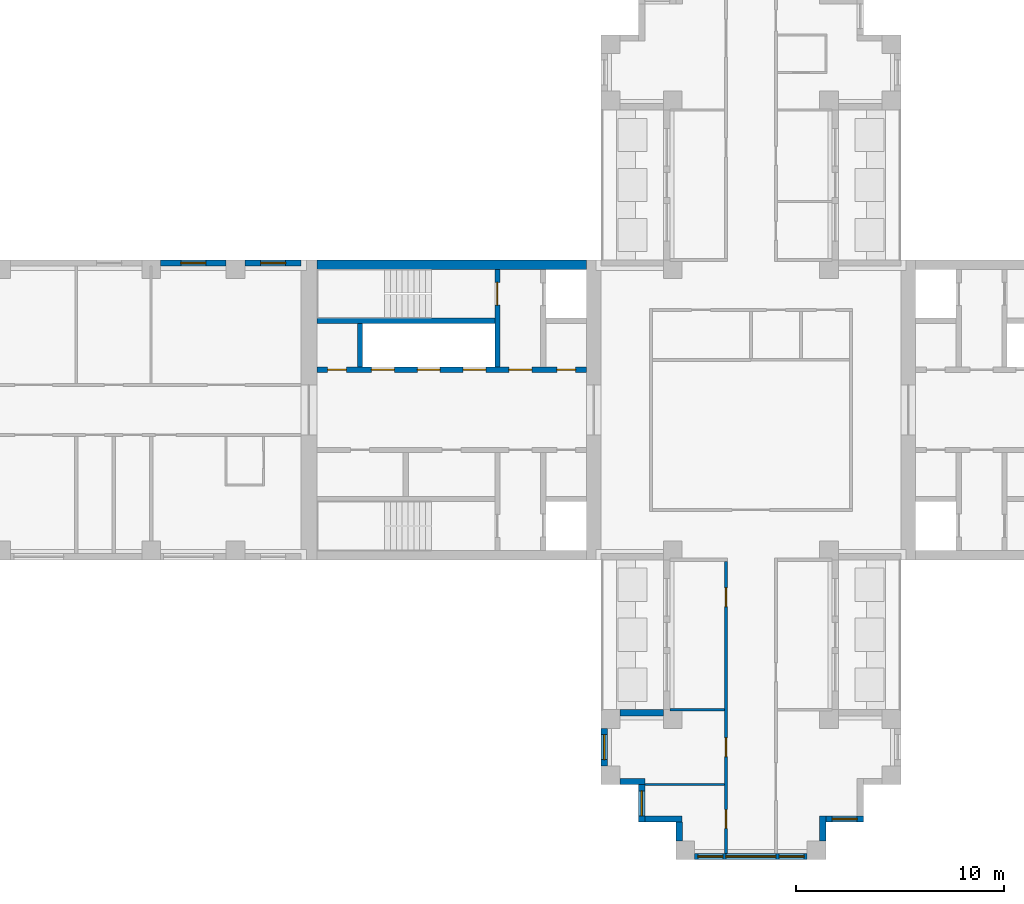
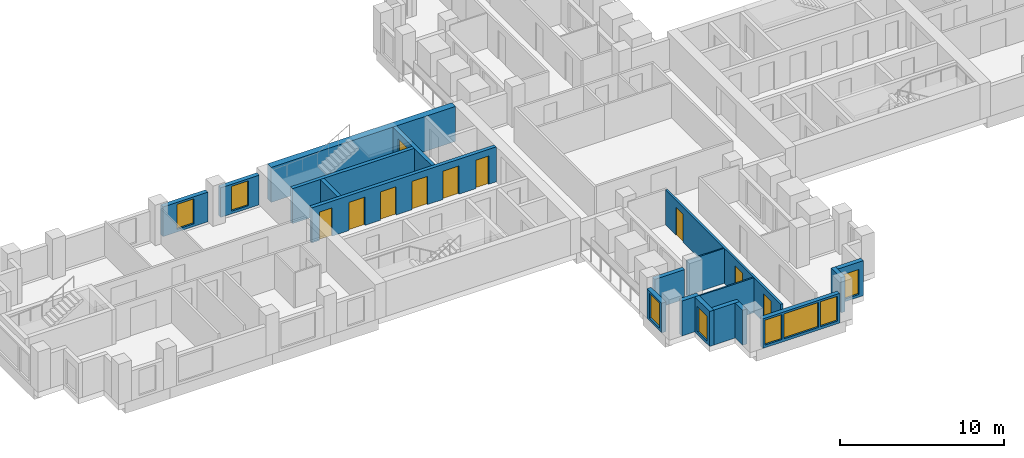
# One storey, part 4 of 11: 19 walls, 10 doors, 8 windows, 18 openings.
"""IFC4 building model written with IfcOpenShell, lengths in metres."""

from ifc_helpers import new_model, si_unit, direction, frame, frame_2d, origin, place, context, subcontext, project, spatial, rectangle, extrude, material, layer, layer_set, type_object, element, fill, save


model = new_model("IFC4")

# Units and contexts
model_context = context("Model", 3, precision=1e-05, world=origin(), true_north=direction((0.0, 1.0)))
body_context = subcontext(model_context, "Body", "Model", "MODEL_VIEW")
ifc_project = project(units=[si_unit("LENGTHUNIT", "METRE"), si_unit("AREAUNIT", "SQUARE_METRE"), si_unit("VOLUMEUNIT", "CUBIC_METRE"), si_unit("PLANEANGLEUNIT", "RADIAN"), si_unit("MASSUNIT", "GRAM", prefix="KILO")], contexts=[model_context])

# Site, building, storey
site_placement = place(None, origin())
site = spatial("IfcSite", under=ifc_project, at=site_placement, CompositionType="ELEMENT")
building_placement = place(site_placement, origin())
building = spatial("IfcBuilding", under=site, at=building_placement, Name="Fustian Cross Tower", CompositionType="ELEMENT")
storey_placement = place(building_placement, frame((0.0, 0.0, 138.300048828125)))
storey = spatial("IfcBuildingStorey", under=building, at=storey_placement, Name="L43", CompositionType="ELEMENT", Elevation=138.300048828125)

# Wall, openings, doors
ifc_material_1 = material(Name="Plasterboard on steel stud", Category="steel")
ifc_layer_1 = layer(ifc_material_1, 0.14990234375)
ifc_layer_set_1 = layer_set([ifc_layer_1], Name="Plasterboard on steel stud")
wall_type_1 = type_object("IfcWallType", Name="COMPARTMENT WALL 150 EI 60", PredefinedType="PARTITIONING", material=ifc_layer_set_1)
wall_1_placement = place(storey_placement, frame((-1.199951171875, -21.300048828125, 0.0), z_axis=(0.0, 0.0, 1.0), x_axis=(0.0, 1.0, 0.0)))
wall_1 = element("IfcWall", 1, at=wall_1_placement, inside=storey, type_object=wall_type_1, Name="Partition 20", PredefinedType="PARTITIONING", context=body_context, shape_type="SweptSolid", body=[
    extrude(rectangle(XDim=14.025146484375, YDim=0.14990234375, at=frame_2d((7.0126953125, 0.0))), origin(), (0.0, 0.0, 1.0), 2.599853515625),
])
opening_1_placement = place(wall_1_placement, frame((11.85009765625, 0.0, 0.0)))
opening_1 = element("IfcOpeningElement", 2, at=opening_1_placement, cuts=wall_1, Name="Opening D20030", PredefinedType="OPENING", context=body_context, shape_type="SweptSolid", body=[
    extrude(rectangle(XDim=0.89990234375, YDim=2.10009765625, at=frame_2d((0.449951171875, 1.050048828125))), frame((0.0, 0.0849609375, 0.0), z_axis=(0.0, -1.0, 0.0), x_axis=(1.0, 0.0, 0.0)), (0.0, 0.0, 1.0), 0.169921875),
])
opening_2_placement = place(wall_1_placement, frame((4.64990234375, 0.0, 0.0)))
opening_2 = element("IfcOpeningElement", 3, at=opening_2_placement, cuts=wall_1, Name="Opening D20031", PredefinedType="OPENING", context=body_context, shape_type="SweptSolid", body=[
    extrude(rectangle(XDim=0.89990234375, YDim=2.10009765625, at=frame_2d((0.449951171875, 1.050048828125))), frame((0.0, 0.0849609375, 0.0), z_axis=(0.0, -1.0, 0.0), x_axis=(1.0, 0.0, 0.0)), (0.0, 0.0, 1.0), 0.169921875),
])
opening_3_placement = place(wall_1_placement, frame((1.199951171875, 0.0, 0.0)))
opening_3 = element("IfcOpeningElement", 4, at=opening_3_placement, cuts=wall_1, Name="Opening D20032", PredefinedType="OPENING", context=body_context, shape_type="SweptSolid", body=[
    extrude(rectangle(XDim=0.89990234375, YDim=2.10009765625, at=frame_2d((0.449951171875, 1.050048828125))), frame((0.0, 0.0849609375, 0.0), z_axis=(0.0, -1.0, 0.0), x_axis=(1.0, 0.0, 0.0)), (0.0, 0.0, 1.0), 0.169921875),
])
ifc_material_2 = material(Name="Timber fire door set", Category="wood")
door_type_1 = type_object("IfcDoorType", Name="FIRE SWING DOOR 900 FD30S", OperationType="SINGLE_SWING_LEFT", PredefinedType="DOOR", material=ifc_material_2)
door_1_placement = place(opening_1_placement, origin())
door_1 = element("IfcDoor", 5, at=door_1_placement, inside=storey, type_object=door_type_1, Name="Door D20030", OperationType="SINGLE_SWING_RIGHT", OverallHeight=2.10009765625, OverallWidth=0.89990234375, PredefinedType="DOOR", context=body_context, shape_type="SweptSolid", body=[
    extrude(rectangle(XDim=0.89990234375, YDim=2.10009765625, at=frame_2d((0.449951171875, 1.050048828125))), frame((0.0, 0.02490234375, 0.0), z_axis=(0.0, -1.0, 0.0), x_axis=(1.0, 0.0, 0.0)), (0.0, 0.0, 1.0), 0.050048828125),
])
fill(opening_1, door_1)
door_2_placement = place(opening_2_placement, origin())
door_2 = element("IfcDoor", 6, at=door_2_placement, inside=storey, type_object=door_type_1, Name="Door D20031", OperationType="SINGLE_SWING_LEFT", OverallHeight=2.10009765625, OverallWidth=0.89990234375, PredefinedType="DOOR", context=body_context, shape_type="SweptSolid", body=[
    extrude(rectangle(XDim=0.89990234375, YDim=2.10009765625, at=frame_2d((0.449951171875, 1.050048828125))), frame((0.0, 0.02490234375, 0.0), z_axis=(0.0, -1.0, 0.0), x_axis=(1.0, 0.0, 0.0)), (0.0, 0.0, 1.0), 0.050048828125),
])
fill(opening_2, door_2)
door_3_placement = place(opening_3_placement, origin())
door_3 = element("IfcDoor", 7, at=door_3_placement, inside=storey, type_object=door_type_1, Name="Door D20032", OperationType="SINGLE_SWING_LEFT", OverallHeight=2.10009765625, OverallWidth=0.89990234375, PredefinedType="DOOR", context=body_context, shape_type="SweptSolid", body=[
    extrude(rectangle(XDim=0.89990234375, YDim=2.10009765625, at=frame_2d((0.449951171875, 1.050048828125))), frame((0.0, 0.02490234375, 0.0), z_axis=(0.0, -1.0, 0.0), x_axis=(1.0, 0.0, 0.0)), (0.0, 0.0, 1.0), 0.050048828125),
])
fill(opening_3, door_3)

# Wall
ifc_material_3 = material(Name="Concrete C60/75", Category="concrete")
ifc_layer_2 = layer(ifc_material_3, 0.449951171875)
ifc_layer_set_2 = layer_set([ifc_layer_2], Name="Concrete C60/75")
wall_type_2 = type_object("IfcWallType", Name="CORE FACADE WALL 450 C60/75", PredefinedType="SHEAR", material=ifc_layer_set_2)
wall_2_placement = place(storey_placement, frame((-7.89990234375, 6.97509765625, 0.0), z_axis=(0.0, 0.0, 1.0), x_axis=(-1.0, 0.0, 0.0)))
element("IfcWall", 8, at=wall_2_placement, inside=storey, type_object=wall_type_2, Name="Core facade wall", PredefinedType="SHEAR", context=body_context, shape_type="SweptSolid", body=[
    extrude(rectangle(XDim=12.9501953125, YDim=0.449951171875, at=frame_2d((6.47509765625, 0.0))), origin(), (0.0, 0.0, 1.0), 2.599853515625),
])

# Wall, openings, doors
ifc_material_4 = material(Name="Concrete C50/60", Category="concrete")
ifc_layer_3 = layer(ifc_material_4, 0.25)
ifc_layer_set_3 = layer_set([ifc_layer_3], Name="Concrete C50/60")
wall_type_3 = type_object("IfcWallType", Name="CORE LOBBY WALL 250 C50/60", PredefinedType="SHEAR", material=ifc_layer_set_3)
wall_3_placement = place(storey_placement, frame((-7.89990234375, 1.925048828125, 0.0), z_axis=(0.0, 0.0, 1.0), x_axis=(-1.0, 0.0, 0.0)))
wall_3 = element("IfcWall", 9, at=wall_3_placement, inside=storey, type_object=wall_type_3, Name="Core lobby wall", PredefinedType="SHEAR", context=body_context, shape_type="SweptSolid", body=[
    extrude(rectangle(XDim=12.9501953125, YDim=0.25, at=frame_2d((6.47509765625, 0.0))), origin(), (0.0, 0.0, 1.0), 2.599853515625),
])
opening_4_placement = place(wall_3_placement, frame((4.824951171875, 0.0, 0.0)))
opening_4 = element("IfcOpeningElement", 10, at=opening_4_placement, cuts=wall_3, Name="Opening LD", PredefinedType="OPENING", context=body_context, shape_type="SweptSolid", body=[
    extrude(rectangle(XDim=1.10009765625, YDim=2.10009765625, at=frame_2d((0.550048828125, 1.050048828125))), frame((0.0, 0.135009765625, 0.0), z_axis=(0.0, -1.0, 0.0), x_axis=(1.0, 0.0, 0.0)), (0.0, 0.0, 1.0), 0.27001953125),
])
opening_5_placement = place(wall_3_placement, frame((7.02490234375, 0.0, 0.0)))
opening_5 = element("IfcOpeningElement", 11, at=opening_5_placement, cuts=wall_3, Name="Opening LD", PredefinedType="OPENING", context=body_context, shape_type="SweptSolid", body=[
    extrude(rectangle(XDim=1.10009765625, YDim=2.10009765625, at=frame_2d((0.550048828125, 1.050048828125))), frame((0.0, 0.135009765625, 0.0), z_axis=(0.0, -1.0, 0.0), x_axis=(1.0, 0.0, 0.0)), (0.0, 0.0, 1.0), 0.27001953125),
])
opening_6_placement = place(wall_3_placement, frame((9.22509765625, 0.0, 0.0)))
opening_6 = element("IfcOpeningElement", 12, at=opening_6_placement, cuts=wall_3, Name="Opening LD", PredefinedType="OPENING", context=body_context, shape_type="SweptSolid", body=[
    extrude(rectangle(XDim=1.10009765625, YDim=2.10009765625, at=frame_2d((0.550048828125, 1.050048828125))), frame((0.0, 0.135009765625, 0.0), z_axis=(0.0, -1.0, 0.0), x_axis=(1.0, 0.0, 0.0)), (0.0, 0.0, 1.0), 0.27001953125),
])
opening_7_placement = place(wall_3_placement, frame((0.52490234375, 0.0, 0.0)))
opening_7 = element("IfcOpeningElement", 13, at=opening_7_placement, cuts=wall_3, Name="Opening CD-18-24", PredefinedType="OPENING", context=body_context, shape_type="SweptSolid", body=[
    extrude(rectangle(XDim=0.89990234375, YDim=2.10009765625, at=frame_2d((0.449951171875, 1.050048828125))), frame((0.0, 0.135009765625, 0.0), z_axis=(0.0, -1.0, 0.0), x_axis=(1.0, 0.0, 0.0)), (0.0, 0.0, 1.0), 0.27001953125),
])
opening_8_placement = place(wall_3_placement, frame((2.625, 0.0, 0.0)))
opening_8 = element("IfcOpeningElement", 14, at=opening_8_placement, cuts=wall_3, Name="Opening CD-18-26", PredefinedType="OPENING", context=body_context, shape_type="SweptSolid", body=[
    extrude(rectangle(XDim=1.10009765625, YDim=2.10009765625, at=frame_2d((0.550048828125, 1.050048828125))), frame((0.0, 0.135009765625, 0.0), z_axis=(0.0, -1.0, 0.0), x_axis=(1.0, 0.0, 0.0)), (0.0, 0.0, 1.0), 0.27001953125),
])
opening_9_placement = place(wall_3_placement, frame((11.52490234375, 0.0, 0.0)))
opening_9 = element("IfcOpeningElement", 15, at=opening_9_placement, cuts=wall_3, Name="Opening CD-18-30", PredefinedType="OPENING", context=body_context, shape_type="SweptSolid", body=[
    extrude(rectangle(XDim=0.89990234375, YDim=2.10009765625, at=frame_2d((0.449951171875, 1.050048828125))), frame((0.0, 0.135009765625, 0.0), z_axis=(0.0, -1.0, 0.0), x_axis=(1.0, 0.0, 0.0)), (0.0, 0.0, 1.0), 0.27001953125),
])
ifc_material_5 = material(Name="Steel", Category="steel")
door_type_2 = type_object("IfcDoorType", Name="FIRE DOOR FD30S 900X2100", OperationType="SINGLE_SWING_LEFT", PredefinedType="DOOR", material=ifc_material_5)
door_4_placement = place(opening_9_placement, frame((0.89990234375, 0.0, 0.0), z_axis=(0.0, 0.0, 1.0), x_axis=(-1.0, 0.0, 0.0)))
door_4 = element("IfcDoor", 16, at=door_4_placement, inside=storey, type_object=door_type_2, Name="Core door CD-18-30", OperationType="SINGLE_SWING_RIGHT", OverallHeight=2.10009765625, OverallWidth=0.89990234375, PredefinedType="DOOR", context=body_context, shape_type="SweptSolid", body=[
    extrude(rectangle(XDim=0.89990234375, YDim=2.10009765625, at=frame_2d((0.449951171875, 1.050048828125))), frame((0.0, 0.02490234375, 0.0), z_axis=(0.0, -1.0, 0.0), x_axis=(1.0, 0.0, 0.0)), (0.0, 0.0, 1.0), 0.050048828125),
])
fill(opening_9, door_4)
ifc_material_6 = material(Name="Steel", Category="steel")
door_type_3 = type_object("IfcDoorType", Name="FIRE DOOR FD60S 1100X2100", OperationType="SINGLE_SWING_LEFT", PredefinedType="DOOR", material=ifc_material_6)
door_5_placement = place(opening_8_placement, frame((1.10009765625, 0.0, 0.0), z_axis=(0.0, 0.0, 1.0), x_axis=(-1.0, 0.0, 0.0)))
door_5 = element("IfcDoor", 17, at=door_5_placement, inside=storey, type_object=door_type_3, Name="Core door CD-18-26", OperationType="SINGLE_SWING_RIGHT", OverallHeight=2.10009765625, OverallWidth=1.10009765625, PredefinedType="DOOR", context=body_context, shape_type="SweptSolid", body=[
    extrude(rectangle(XDim=1.10009765625, YDim=2.10009765625, at=frame_2d((0.550048828125, 1.050048828125))), frame((0.0, 0.02490234375, 0.0), z_axis=(0.0, -1.0, 0.0), x_axis=(1.0, 0.0, 0.0)), (0.0, 0.0, 1.0), 0.050048828125),
])
fill(opening_8, door_5)
ifc_material_7 = material(Name="Steel", Category="steel")
door_type_4 = type_object("IfcDoorType", Name="FIRE DOOR FD60S 900X2100", OperationType="SINGLE_SWING_LEFT", PredefinedType="DOOR", material=ifc_material_7)
door_6_placement = place(opening_7_placement, frame((0.89990234375, 0.0, 0.0), z_axis=(0.0, 0.0, 1.0), x_axis=(-1.0, 0.0, 0.0)))
door_6 = element("IfcDoor", 18, at=door_6_placement, inside=storey, type_object=door_type_4, Name="Core door CD-18-24", OperationType="SINGLE_SWING_RIGHT", OverallHeight=2.10009765625, OverallWidth=0.89990234375, PredefinedType="DOOR", context=body_context, shape_type="SweptSolid", body=[
    extrude(rectangle(XDim=0.89990234375, YDim=2.10009765625, at=frame_2d((0.449951171875, 1.050048828125))), frame((0.0, 0.02490234375, 0.0), z_axis=(0.0, -1.0, 0.0), x_axis=(1.0, 0.0, 0.0)), (0.0, 0.0, 1.0), 0.050048828125),
])
fill(opening_7, door_6)
ifc_material_8 = material(Name="Stainless steel", Category="steel")
door_type_5 = type_object("IfcDoorType", Name="LIFT LANDING DOOR 1100X2100", OperationType="SLIDING_TO_LEFT", PredefinedType="DOOR", material=ifc_material_8)
door_7_placement = place(opening_4_placement, origin())
door_7 = element("IfcDoor", 19, at=door_7_placement, inside=storey, type_object=door_type_5, Name="Landing door HR1W", OperationType="SLIDING_TO_LEFT", OverallHeight=2.10009765625, OverallWidth=1.10009765625, PredefinedType="DOOR", context=body_context, shape_type="SweptSolid", body=[
    extrude(rectangle(XDim=1.10009765625, YDim=2.10009765625, at=frame_2d((0.550048828125, 1.050048828125))), frame((0.0, 0.02490234375, 0.0), z_axis=(0.0, -1.0, 0.0), x_axis=(1.0, 0.0, 0.0)), (0.0, 0.0, 1.0), 0.050048828125),
])
fill(opening_4, door_7)
door_8_placement = place(opening_5_placement, origin())
door_8 = element("IfcDoor", 20, at=door_8_placement, inside=storey, type_object=door_type_5, Name="Landing door HR2W", OperationType="SLIDING_TO_LEFT", OverallHeight=2.10009765625, OverallWidth=1.10009765625, PredefinedType="DOOR", context=body_context, shape_type="SweptSolid", body=[
    extrude(rectangle(XDim=1.10009765625, YDim=2.10009765625, at=frame_2d((0.550048828125, 1.050048828125))), frame((0.0, 0.02490234375, 0.0), z_axis=(0.0, -1.0, 0.0), x_axis=(1.0, 0.0, 0.0)), (0.0, 0.0, 1.0), 0.050048828125),
])
fill(opening_5, door_8)
door_9_placement = place(opening_6_placement, origin())
door_9 = element("IfcDoor", 21, at=door_9_placement, inside=storey, type_object=door_type_5, Name="Landing door HR3W", OperationType="SLIDING_TO_LEFT", OverallHeight=2.10009765625, OverallWidth=1.10009765625, PredefinedType="DOOR", context=body_context, shape_type="SweptSolid", body=[
    extrude(rectangle(XDim=1.10009765625, YDim=2.10009765625, at=frame_2d((0.550048828125, 1.050048828125))), frame((0.0, 0.02490234375, 0.0), z_axis=(0.0, -1.0, 0.0), x_axis=(1.0, 0.0, 0.0)), (0.0, 0.0, 1.0), 0.050048828125),
])
fill(opening_6, door_9)

# Wall
ifc_material_9 = material(Name="Concrete C50/60", Category="concrete")
ifc_layer_4 = layer(ifc_material_9, 0.25)
ifc_layer_set_4 = layer_set([ifc_layer_4], Name="Concrete C50/60")
wall_type_4 = type_object("IfcWallType", Name="CORE SHAFT WALL 250 C50/60", PredefinedType="SHEAR", material=ifc_layer_set_4)
wall_4_placement = place(storey_placement, frame((-12.300048828125, 4.27490234375, 0.0), z_axis=(0.0, 0.0, 1.0), x_axis=(-1.0, 0.0, 0.0)))
element("IfcWall", 22, at=wall_4_placement, inside=storey, type_object=wall_type_4, Name="Core shaft wall", PredefinedType="SHEAR", context=body_context, shape_type="SweptSolid", body=[
    extrude(rectangle(XDim=8.550048828125, YDim=0.25, at=frame_2d((4.27490234375, 0.0))), origin(), (0.0, 0.0, 1.0), 2.599853515625),
])

# Wall, opening, door
wall_5_placement = place(storey_placement, frame((-12.175048828125, 2.050048828125, 0.0), z_axis=(0.0, 0.0, 1.0), x_axis=(0.0, 1.0, 0.0)))
wall_5 = element("IfcWall", 23, at=wall_5_placement, inside=storey, type_object=wall_type_4, Name="Core shaft wall", PredefinedType="SHEAR", context=body_context, shape_type="SweptSolid", body=[
    extrude(rectangle(XDim=4.699951171875, YDim=0.25, at=frame_2d((2.35009765625, 0.0))), origin(), (0.0, 0.0, 1.0), 2.599853515625),
])
opening_10_placement = place(wall_5_placement, frame((2.97509765625, 0.0, 0.0)))
opening_10 = element("IfcOpeningElement", 24, at=opening_10_placement, cuts=wall_5, Name="Opening CD-18-22", PredefinedType="OPENING", context=body_context, shape_type="SweptSolid", body=[
    extrude(rectangle(XDim=1.10009765625, YDim=2.10009765625, at=frame_2d((0.550048828125, 1.050048828125))), frame((0.0, 0.135009765625, 0.0), z_axis=(0.0, -1.0, 0.0), x_axis=(1.0, 0.0, 0.0)), (0.0, 0.0, 1.0), 0.27001953125),
])
door_10_placement = place(opening_10_placement, origin())
door_10 = element("IfcDoor", 25, at=door_10_placement, inside=storey, type_object=door_type_3, Name="Core door CD-18-22", OperationType="SINGLE_SWING_LEFT", OverallHeight=2.10009765625, OverallWidth=1.10009765625, PredefinedType="DOOR", context=body_context, shape_type="SweptSolid", body=[
    extrude(rectangle(XDim=1.10009765625, YDim=2.10009765625, at=frame_2d((0.550048828125, 1.050048828125))), frame((0.0, 0.02490234375, 0.0), z_axis=(0.0, -1.0, 0.0), x_axis=(1.0, 0.0, 0.0)), (0.0, 0.0, 1.0), 0.050048828125),
])
fill(opening_10, door_10)

# Walls
ifc_material_10 = material(Name="Plasterboard on steel stud", Category="steel")
ifc_layer_5 = layer(ifc_material_10, 0.10009765625)
ifc_layer_set_5 = layer_set([ifc_layer_5], Name="Plasterboard on steel stud")
wall_type_5 = type_object("IfcWallType", Name="PARTITION 100 STUD", PredefinedType="PARTITIONING", material=ifc_layer_set_5)
wall_6_placement = place(storey_placement, frame((-5.10009765625, -18.0, 0.0), z_axis=(0.0, 0.0, 1.0), x_axis=(1.0, 0.0, 0.0)))
element("IfcWall", 26, at=wall_6_placement, inside=storey, type_object=wall_type_5, Name="Partition 11", PredefinedType="PARTITIONING", context=body_context, shape_type="SweptSolid", body=[
    extrude(rectangle(XDim=3.8251953125, YDim=0.10009765625, at=frame_2d((1.91259765625, 0.0))), origin(), (0.0, 0.0, 1.0), 2.599853515625),
])
wall_7_placement = place(storey_placement, frame((-3.89990234375, -14.39990234375, 0.0), z_axis=(0.0, 0.0, 1.0), x_axis=(1.0, 0.0, 0.0)))
element("IfcWall", 27, at=wall_7_placement, inside=storey, type_object=wall_type_5, Name="Partition 16", PredefinedType="PARTITIONING", context=body_context, shape_type="SweptSolid", body=[
    extrude(rectangle(XDim=2.625, YDim=0.10009765625, at=frame_2d((1.3125, 0.0))), origin(), (0.0, 0.0, 1.0), 2.599853515625),
])
ifc_material_11 = material(Name="Concrete C40/50", Category="concrete")
ifc_layer_6 = layer(ifc_material_11, 0.25)
ifc_layer_set_6 = layer_set([ifc_layer_6], Name="Concrete C40/50")
wall_type_6 = type_object("IfcWallType", Name="SHAFT PARTITION WALL 250 C40/50", PredefinedType="PARTITIONING", material=ifc_layer_set_6)
wall_8_placement = place(storey_placement, frame((-18.77490234375, 2.050048828125, 0.0), z_axis=(0.0, 0.0, 1.0), x_axis=(0.0, 1.0, 0.0)))
element("IfcWall", 28, at=wall_8_placement, inside=storey, type_object=wall_type_6, Name="Core shaft wall", PredefinedType="PARTITIONING", context=body_context, shape_type="SweptSolid", body=[
    extrude(rectangle(XDim=2.099853515625, YDim=0.25, at=frame_2d((1.0498046875, 0.0))), origin(), (0.0, 0.0, 1.0), 2.599853515625),
])

# Wall, opening, window
ifc_material_12 = material(Name="Dark aluminium cladding on insulated backing wall", Category="aluminium")
ifc_layer_7 = layer(ifc_material_12, 0.300048828125)
ifc_layer_set_7 = layer_set([ifc_layer_7], Name="Dark aluminium cladding on insulated backing wall")
wall_type_7 = type_object("IfcWallType", Name="XW1 EXTERNAL WALL 300", PredefinedType="SOLIDWALL", material=ifc_layer_set_7)
wall_9_placement = place(storey_placement, frame((-21.60009765625, 7.050048828125, 0.0), z_axis=(0.0, 0.0, 1.0), x_axis=(-1.0, 0.0, 0.0)))
wall_9 = element("IfcWall", 29, at=wall_9_placement, inside=storey, type_object=wall_type_7, Name="External wall", PredefinedType="SOLIDWALL", context=body_context, shape_type="SweptSolid", body=[
    extrude(rectangle(XDim=2.699951171875, YDim=0.300048828125, at=frame_2d((1.35009765625, 0.0))), origin(), (0.0, 0.0, 1.0), 2.199951171875),
])
opening_11_placement = place(wall_9_placement, frame((0.75, 0.0, 0.199951171875)))
opening_11 = element("IfcOpeningElement", 30, at=opening_11_placement, cuts=wall_9, Name="Opening WN3", PredefinedType="OPENING", context=body_context, shape_type="SweptSolid", body=[
    extrude(rectangle(XDim=1.199951171875, YDim=1.85009765625, at=frame_2d((0.60009765625, 0.925048828125))), frame((0.0, 0.159912109375, 0.0), z_axis=(0.0, -1.0, 0.0), x_axis=(1.0, 0.0, 0.0)), (0.0, 0.0, 1.0), 0.320068359375),
])
ifc_material_13 = material(Name="Dark anodised aluminium and double glazing", Category="aluminium")
window_type_1 = type_object("IfcWindowType", Name="WN3 WINDOW 1200X1850", PartitioningType="SINGLE_PANEL", PredefinedType="WINDOW", material=ifc_material_13)
window_1_placement = place(opening_11_placement, origin())
window_1 = element("IfcWindow", 31, at=window_1_placement, inside=storey, type_object=window_type_1, Name="Window", OverallHeight=1.85009765625, OverallWidth=1.199951171875, PartitioningType="SINGLE_PANEL", PredefinedType="WINDOW", context=body_context, shape_type="SweptSolid", body=[
    extrude(rectangle(XDim=1.199951171875, YDim=1.85009765625, at=frame_2d((0.60009765625, 0.925048828125))), frame((0.0, 0.030029296875, 0.0), z_axis=(0.0, -1.0, 0.0), x_axis=(1.0, 0.0, 0.0)), (0.0, 0.0, 1.0), 0.06005859375),
])
fill(opening_11, window_1)

wall_10_placement = place(storey_placement, frame((-25.199951171875, 7.050048828125, 0.0), z_axis=(0.0, 0.0, 1.0), x_axis=(-1.0, 0.0, 0.0)))
wall_10 = element("IfcWall", 32, at=wall_10_placement, inside=storey, type_object=wall_type_7, Name="External wall", PredefinedType="SOLIDWALL", context=body_context, shape_type="SweptSolid", body=[
    extrude(rectangle(XDim=3.150146484375, YDim=0.300048828125, at=frame_2d((1.5751953125, 0.0))), origin(), (0.0, 0.0, 1.0), 2.199951171875),
])
opening_12_placement = place(wall_10_placement, frame((0.97509765625, 0.0, 0.199951171875)))
opening_12 = element("IfcOpeningElement", 33, at=opening_12_placement, cuts=wall_10, Name="Opening WN3", PredefinedType="OPENING", context=body_context, shape_type="SweptSolid", body=[
    extrude(rectangle(XDim=1.199951171875, YDim=1.85009765625, at=frame_2d((0.60009765625, 0.925048828125))), frame((0.0, 0.159912109375, 0.0), z_axis=(0.0, -1.0, 0.0), x_axis=(1.0, 0.0, 0.0)), (0.0, 0.0, 1.0), 0.320068359375),
])
window_2_placement = place(opening_12_placement, origin())
window_2 = element("IfcWindow", 34, at=window_2_placement, inside=storey, type_object=window_type_1, Name="Window", OverallHeight=1.85009765625, OverallWidth=1.199951171875, PartitioningType="SINGLE_PANEL", PredefinedType="WINDOW", context=body_context, shape_type="SweptSolid", body=[
    extrude(rectangle(XDim=1.199951171875, YDim=1.85009765625, at=frame_2d((0.60009765625, 0.925048828125))), frame((0.0, 0.030029296875, 0.0), z_axis=(0.0, -1.0, 0.0), x_axis=(1.0, 0.0, 0.0)), (0.0, 0.0, 1.0), 0.06005859375),
])
fill(opening_12, window_2)

# Wall
wall_11_placement = place(storey_placement, frame((-4.199951171875, -14.550048828125, 0.0), z_axis=(0.0, 0.0, 1.0), x_axis=(-1.0, 0.0, 0.0)))
element("IfcWall", 35, at=wall_11_placement, inside=storey, type_object=wall_type_7, Name="External wall", PredefinedType="SOLIDWALL", context=body_context, shape_type="SweptSolid", body=[
    extrude(rectangle(XDim=2.10009765625, YDim=0.300048828125, at=frame_2d((1.050048828125, 0.0))), origin(), (0.0, 0.0, 1.0), 2.199951171875),
])

# Wall, opening, window
wall_12_placement = place(storey_placement, frame((-7.050048828125, -15.300048828125, 0.0), z_axis=(0.0, 0.0, 1.0), x_axis=(0.0, -1.0, 0.0)))
wall_12 = element("IfcWall", 36, at=wall_12_placement, inside=storey, type_object=wall_type_7, Name="External wall", PredefinedType="SOLIDWALL", context=body_context, shape_type="SweptSolid", body=[
    extrude(rectangle(XDim=1.800048828125, YDim=0.300048828125, at=frame_2d((0.89990234375, 0.0))), origin(), (0.0, 0.0, 1.0), 2.199951171875),
])
opening_13_placement = place(wall_12_placement, frame((0.300048828125, 0.0, 0.199951171875)))
opening_13 = element("IfcOpeningElement", 37, at=opening_13_placement, cuts=wall_12, Name="Opening WN3", PredefinedType="OPENING", context=body_context, shape_type="SweptSolid", body=[
    extrude(rectangle(XDim=1.199951171875, YDim=1.85009765625, at=frame_2d((0.60009765625, 0.925048828125))), frame((0.0, 0.159912109375, 0.0), z_axis=(0.0, -1.0, 0.0), x_axis=(1.0, 0.0, 0.0)), (0.0, 0.0, 1.0), 0.320068359375),
])
window_3_placement = place(opening_13_placement, origin())
window_3 = element("IfcWindow", 38, at=window_3_placement, inside=storey, type_object=window_type_1, Name="Window", OverallHeight=1.85009765625, OverallWidth=1.199951171875, PartitioningType="SINGLE_PANEL", PredefinedType="WINDOW", context=body_context, shape_type="SweptSolid", body=[
    extrude(rectangle(XDim=1.199951171875, YDim=1.85009765625, at=frame_2d((0.60009765625, 0.925048828125))), frame((0.0, 0.030029296875, 0.0), z_axis=(0.0, -1.0, 0.0), x_axis=(1.0, 0.0, 0.0)), (0.0, 0.0, 1.0), 0.06005859375),
])
fill(opening_13, window_3)

# Wall
wall_13_placement = place(storey_placement, frame((-6.300048828125, -17.85009765625, 0.0), z_axis=(0.0, 0.0, 1.0), x_axis=(1.0, 0.0, 0.0)))
element("IfcWall", 39, at=wall_13_placement, inside=storey, type_object=wall_type_7, Name="External wall", PredefinedType="SOLIDWALL", context=body_context, shape_type="SweptSolid", body=[
    extrude(rectangle(XDim=1.199951171875, YDim=0.300048828125, at=frame_2d((0.60009765625, 0.0))), origin(), (0.0, 0.0, 1.0), 2.599853515625),
])

# Wall, opening, window
wall_14_placement = place(storey_placement, frame((-5.25, -18.0, 0.0), z_axis=(0.0, 0.0, 1.0), x_axis=(0.0, -1.0, 0.0)))
wall_14 = element("IfcWall", 40, at=wall_14_placement, inside=storey, type_object=wall_type_7, Name="External wall", PredefinedType="SOLIDWALL", context=body_context, shape_type="SweptSolid", body=[
    extrude(rectangle(XDim=1.800048828125, YDim=0.300048828125, at=frame_2d((0.89990234375, 0.0))), origin(), (0.0, 0.0, 1.0), 2.599853515625),
])
opening_14_placement = place(wall_14_placement, frame((0.300048828125, 0.0, 0.199951171875)))
opening_14 = element("IfcOpeningElement", 41, at=opening_14_placement, cuts=wall_14, Name="Opening WN3", PredefinedType="OPENING", context=body_context, shape_type="SweptSolid", body=[
    extrude(rectangle(XDim=1.199951171875, YDim=1.85009765625, at=frame_2d((0.60009765625, 0.925048828125))), frame((0.0, 0.159912109375, 0.0), z_axis=(0.0, -1.0, 0.0), x_axis=(1.0, 0.0, 0.0)), (0.0, 0.0, 1.0), 0.320068359375),
])
window_4_placement = place(opening_14_placement, origin())
window_4 = element("IfcWindow", 42, at=window_4_placement, inside=storey, type_object=window_type_1, Name="Window", OverallHeight=1.85009765625, OverallWidth=1.199951171875, PartitioningType="SINGLE_PANEL", PredefinedType="WINDOW", context=body_context, shape_type="SweptSolid", body=[
    extrude(rectangle(XDim=1.199951171875, YDim=1.85009765625, at=frame_2d((0.60009765625, 0.925048828125))), frame((0.0, 0.030029296875, 0.0), z_axis=(0.0, -1.0, 0.0), x_axis=(1.0, 0.0, 0.0)), (0.0, 0.0, 1.0), 0.06005859375),
])
fill(opening_14, window_4)

# Walls
wall_15_placement = place(storey_placement, frame((-5.10009765625, -19.64990234375, 0.0), z_axis=(0.0, 0.0, 1.0), x_axis=(1.0, 0.0, 0.0)))
element("IfcWall", 43, at=wall_15_placement, inside=storey, type_object=wall_type_7, Name="External wall", PredefinedType="SOLIDWALL", context=body_context, shape_type="SweptSolid", body=[
    extrude(rectangle(XDim=1.800048828125, YDim=0.300048828125, at=frame_2d((0.89990234375, 0.0))), origin(), (0.0, 0.0, 1.0), 2.599853515625),
])
wall_16_placement = place(storey_placement, frame((-3.449951171875, -19.800048828125, 0.0), z_axis=(0.0, 0.0, 1.0), x_axis=(0.0, -1.0, 0.0)))
element("IfcWall", 44, at=wall_16_placement, inside=storey, type_object=wall_type_7, Name="External wall", PredefinedType="SOLIDWALL", context=body_context, shape_type="SweptSolid", body=[
    extrude(rectangle(XDim=0.89990234375, YDim=0.300048828125, at=frame_2d((0.449951171875, 0.0))), origin(), (0.0, 0.0, 1.0), 2.599853515625),
])

# Wall, openings, windows
wall_17_placement = place(storey_placement, frame((-2.699951171875, -21.449951171875, 0.0), z_axis=(0.0, 0.0, 1.0), x_axis=(1.0, 0.0, 0.0)))
wall_17 = element("IfcWall", 45, at=wall_17_placement, inside=storey, type_object=wall_type_7, Name="External wall", PredefinedType="SOLIDWALL", context=body_context, shape_type="SweptSolid", body=[
    extrude(rectangle(XDim=5.39990234375, YDim=0.300048828125, at=frame_2d((2.699951171875, 0.0))), origin(), (0.0, 0.0, 1.0), 2.199951171875),
])
opening_15_placement = place(wall_17_placement, frame((1.5, 0.0, 0.199951171875)))
opening_15 = element("IfcOpeningElement", 46, at=opening_15_placement, cuts=wall_17, Name="Opening WN1", PredefinedType="OPENING", context=body_context, shape_type="SweptSolid", body=[
    extrude(rectangle(XDim=2.39990234375, YDim=1.85009765625, at=frame_2d((1.199951171875, 0.925048828125))), frame((0.0, 0.159912109375, 0.0), z_axis=(0.0, -1.0, 0.0), x_axis=(1.0, 0.0, 0.0)), (0.0, 0.0, 1.0), 0.320068359375),
])
opening_16_placement = place(wall_17_placement, frame((0.14990234375, 0.0, 0.199951171875)))
opening_16 = element("IfcOpeningElement", 47, at=opening_16_placement, cuts=wall_17, Name="Opening WN3", PredefinedType="OPENING", context=body_context, shape_type="SweptSolid", body=[
    extrude(rectangle(XDim=1.199951171875, YDim=1.85009765625, at=frame_2d((0.60009765625, 0.925048828125))), frame((0.0, 0.159912109375, 0.0), z_axis=(0.0, -1.0, 0.0), x_axis=(1.0, 0.0, 0.0)), (0.0, 0.0, 1.0), 0.320068359375),
])
opening_17_placement = place(wall_17_placement, frame((4.050048828125, 0.0, 0.199951171875)))
opening_17 = element("IfcOpeningElement", 48, at=opening_17_placement, cuts=wall_17, Name="Opening WN3", PredefinedType="OPENING", context=body_context, shape_type="SweptSolid", body=[
    extrude(rectangle(XDim=1.199951171875, YDim=1.85009765625, at=frame_2d((0.60009765625, 0.925048828125))), frame((0.0, 0.159912109375, 0.0), z_axis=(0.0, -1.0, 0.0), x_axis=(1.0, 0.0, 0.0)), (0.0, 0.0, 1.0), 0.320068359375),
])
ifc_material_14 = material(Name="Dark anodised aluminium and double glazing", Category="aluminium")
window_type_2 = type_object("IfcWindowType", Name="WN1 WINDOW 2400X1850", PartitioningType="SINGLE_PANEL", PredefinedType="WINDOW", material=ifc_material_14)
window_5_placement = place(opening_15_placement, origin())
window_5 = element("IfcWindow", 49, at=window_5_placement, inside=storey, type_object=window_type_2, Name="Window", OverallHeight=1.85009765625, OverallWidth=2.39990234375, PartitioningType="SINGLE_PANEL", PredefinedType="WINDOW", context=body_context, shape_type="SweptSolid", body=[
    extrude(rectangle(XDim=2.39990234375, YDim=1.85009765625, at=frame_2d((1.199951171875, 0.925048828125))), frame((0.0, 0.030029296875, 0.0), z_axis=(0.0, -1.0, 0.0), x_axis=(1.0, 0.0, 0.0)), (0.0, 0.0, 1.0), 0.06005859375),
])
fill(opening_15, window_5)
window_6_placement = place(opening_16_placement, origin())
window_6 = element("IfcWindow", 50, at=window_6_placement, inside=storey, type_object=window_type_1, Name="Window", OverallHeight=1.85009765625, OverallWidth=1.199951171875, PartitioningType="SINGLE_PANEL", PredefinedType="WINDOW", context=body_context, shape_type="SweptSolid", body=[
    extrude(rectangle(XDim=1.199951171875, YDim=1.85009765625, at=frame_2d((0.60009765625, 0.925048828125))), frame((0.0, 0.030029296875, 0.0), z_axis=(0.0, -1.0, 0.0), x_axis=(1.0, 0.0, 0.0)), (0.0, 0.0, 1.0), 0.06005859375),
])
fill(opening_16, window_6)
window_7_placement = place(opening_17_placement, origin())
window_7 = element("IfcWindow", 51, at=window_7_placement, inside=storey, type_object=window_type_1, Name="Window", OverallHeight=1.85009765625, OverallWidth=1.199951171875, PartitioningType="SINGLE_PANEL", PredefinedType="WINDOW", context=body_context, shape_type="SweptSolid", body=[
    extrude(rectangle(XDim=1.199951171875, YDim=1.85009765625, at=frame_2d((0.60009765625, 0.925048828125))), frame((0.0, 0.030029296875, 0.0), z_axis=(0.0, -1.0, 0.0), x_axis=(1.0, 0.0, 0.0)), (0.0, 0.0, 1.0), 0.06005859375),
])
fill(opening_17, window_7)

# Wall
wall_18_placement = place(storey_placement, frame((3.449951171875, -20.699951171875, 0.0), z_axis=(0.0, 0.0, 1.0), x_axis=(0.0, 1.0, 0.0)))
element("IfcWall", 52, at=wall_18_placement, inside=storey, type_object=wall_type_7, Name="External wall", PredefinedType="SOLIDWALL", context=body_context, shape_type="SweptSolid", body=[
    extrude(rectangle(XDim=1.199951171875, YDim=0.300048828125, at=frame_2d((0.60009765625, 0.0))), origin(), (0.0, 0.0, 1.0), 2.599853515625),
])

# Wall, opening, window
wall_19_placement = place(storey_placement, frame((3.60009765625, -19.64990234375, 0.0), z_axis=(0.0, 0.0, 1.0), x_axis=(1.0, 0.0, 0.0)))
wall_19 = element("IfcWall", 53, at=wall_19_placement, inside=storey, type_object=wall_type_7, Name="External wall", PredefinedType="SOLIDWALL", context=body_context, shape_type="SweptSolid", body=[
    extrude(rectangle(XDim=1.7998046875, YDim=0.300048828125, at=frame_2d((0.89990234375, 0.0))), origin(), (0.0, 0.0, 1.0), 2.599853515625),
])
opening_18_placement = place(wall_19_placement, frame((0.300048828125, 0.0, 0.199951171875)))
opening_18 = element("IfcOpeningElement", 54, at=opening_18_placement, cuts=wall_19, Name="Opening WN3", PredefinedType="OPENING", context=body_context, shape_type="SweptSolid", body=[
    extrude(rectangle(XDim=1.199951171875, YDim=1.85009765625, at=frame_2d((0.60009765625, 0.925048828125))), frame((0.0, 0.159912109375, 0.0), z_axis=(0.0, -1.0, 0.0), x_axis=(1.0, 0.0, 0.0)), (0.0, 0.0, 1.0), 0.320068359375),
])
window_8_placement = place(opening_18_placement, origin())
window_8 = element("IfcWindow", 55, at=window_8_placement, inside=storey, type_object=window_type_1, Name="Window", OverallHeight=1.85009765625, OverallWidth=1.199951171875, PartitioningType="SINGLE_PANEL", PredefinedType="WINDOW", context=body_context, shape_type="SweptSolid", body=[
    extrude(rectangle(XDim=1.199951171875, YDim=1.85009765625, at=frame_2d((0.60009765625, 0.925048828125))), frame((0.0, 0.030029296875, 0.0), z_axis=(0.0, -1.0, 0.0), x_axis=(1.0, 0.0, 0.0)), (0.0, 0.0, 1.0), 0.06005859375),
])
fill(opening_18, window_8)

save(model, "model.ifc")
